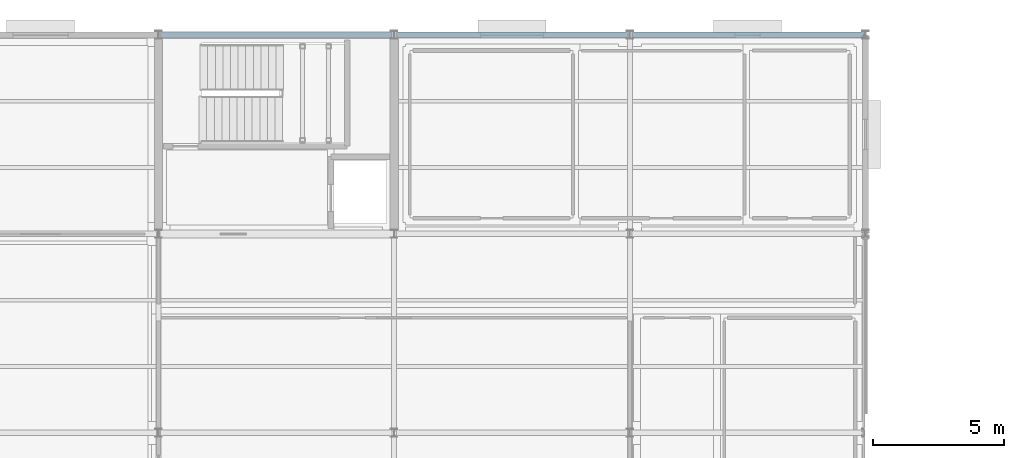
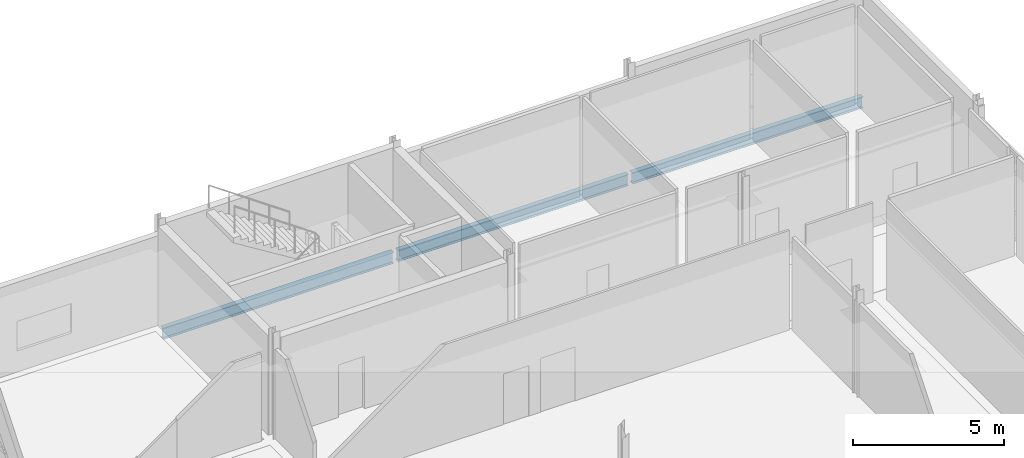
# One storey, part 67 of 96: 3 beams.
"""IFC4 building model written with IfcOpenShell, lengths in metres."""

from ifc_helpers import new_model, si_unit, direction, frame, origin, origin_2d, place, context, subcontext, project, spatial, i_section, extrude, material, material_profile, profile_set, type_object, element, save


model = new_model("IFC4")

# Units and contexts
model_context = context("Model", 3, precision=1e-05, world=origin(), true_north=direction((0.0, 1.0)))
body_context = subcontext(model_context, "Body", "Model", "MODEL_VIEW")
ifc_project = project(units=[si_unit("LENGTHUNIT", "METRE"), si_unit("AREAUNIT", "SQUARE_METRE"), si_unit("VOLUMEUNIT", "CUBIC_METRE"), si_unit("PLANEANGLEUNIT", "RADIAN"), si_unit("MASSUNIT", "GRAM", prefix="KILO")], contexts=[model_context])

# Site, building, storey
site_placement = place(None, origin())
site = spatial("IfcSite", under=ifc_project, at=site_placement, CompositionType="ELEMENT")
building_placement = place(site_placement, origin())
building = spatial("IfcBuilding", under=site, at=building_placement, Name="Caisbarro Railhouse Central Library", CompositionType="ELEMENT")
storey_placement = place(building_placement, frame((0.0, 0.0, 13.679931640625)))
storey = spatial("IfcBuildingStorey", under=building, at=storey_placement, Name="L03", CompositionType="ELEMENT", Elevation=13.679931640625)

# Beams
ifc_material = material(Name="Steel ASTM A572 Grade 50", Category="steel")
ifc_material_profile = material_profile(ifc_material, i_section(OverallWidth=0.18994140625, OverallDepth=0.45703125, WebThickness=0.009033203125, FlangeThickness=0.014404296875, FilletRadius=0.01806640625, at=origin_2d()), Name="W460X74.0")
ifc_profile_set = profile_set([ifc_material_profile], Name="Steel ASTM A572 Grade 50")
beam_type = type_object("IfcBeamType", Name="BM-SP01", PredefinedType="SPANDREL", material=ifc_profile_set)
for number, where, z_axis, x_axis, name in (
    (1, (126.080078125, 114.0, -0.448486328125), (1.0, 0.0, 0.0), (0.0, 1.0, 0.0), "SP01 beam L03 #1878"),
    (2, (135.080078125, 114.0, -0.448486328125), (1.0, 0.0, 0.0), (0.0, 1.0, 0.0), "SP01 beam L03 #1879"),
    (3, (144.080078125, 114.0, -0.448486328125), (1.0, 0.0, 0.0), (0.0, 1.0, 0.0), "SP01 beam L03 #1880"),
):
    element("IfcBeam", number, at=place(storey_placement, frame(where, z_axis=z_axis, x_axis=x_axis)), inside=storey, type_object=beam_type, Name=name, PredefinedType="SPANDREL", context=body_context, shape_type="SweptSolid", body=[
        extrude(i_section(OverallWidth=0.18994140625, OverallDepth=0.45703125, WebThickness=0.009033203125, FlangeThickness=0.014404296875, FilletRadius=0.01806640625, at=origin_2d()), origin(), (0.0, 0.0, 1.0), 8.83984375),
    ])

save(model, "model.ifc")
